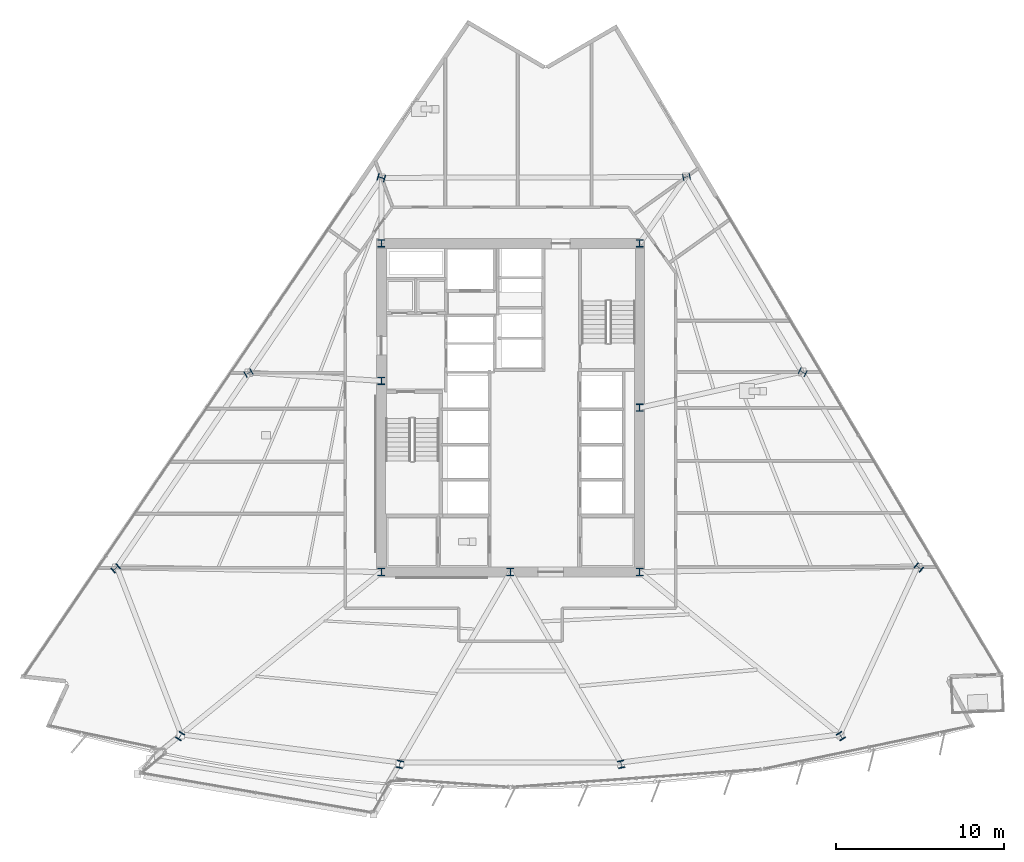
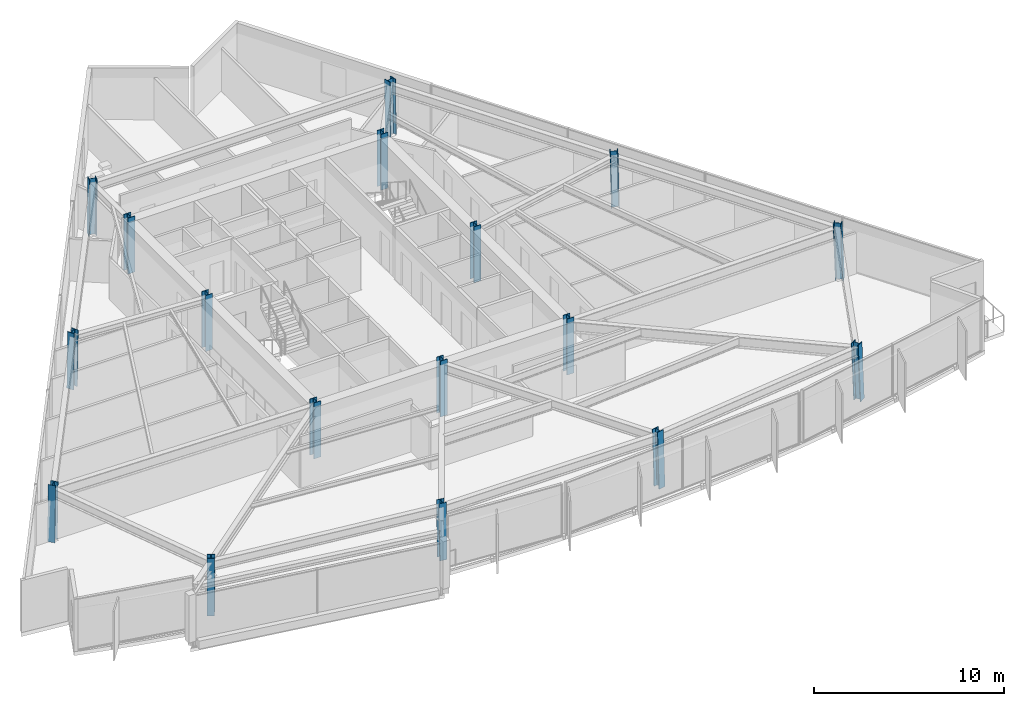
# One storey, part 1 of 17: 17 columns.
"""IFC4 building model written with IfcOpenShell, lengths in metres."""

from ifc_helpers import new_model, si_unit, direction, frame, origin, origin_2d, place, context, subcontext, project, spatial, i_section, extrude, material, material_profile, profile_set, type_object, element, save


model = new_model("IFC4")

# Units and contexts
model_context = context("Model", 3, precision=1e-05, world=origin(), true_north=direction((0.0, 1.0)))
body_context = subcontext(model_context, "Body", "Model", "MODEL_VIEW")
ifc_project = project(units=[si_unit("LENGTHUNIT", "METRE"), si_unit("AREAUNIT", "SQUARE_METRE"), si_unit("VOLUMEUNIT", "CUBIC_METRE"), si_unit("PLANEANGLEUNIT", "RADIAN"), si_unit("MASSUNIT", "GRAM", prefix="KILO")], contexts=[model_context])

# Site, building, storey
site_placement = place(None, origin())
site = spatial("IfcSite", under=ifc_project, at=site_placement, CompositionType="ELEMENT")
building_placement = place(site_placement, origin())
building = spatial("IfcBuilding", under=site, at=building_placement, Name="Savorim Split Tower", CompositionType="ELEMENT")
storey_placement = place(building_placement, frame((0.0, 0.0, 58.800048828125)))
storey = spatial("IfcBuildingStorey", under=building, at=storey_placement, Name="L15", CompositionType="ELEMENT", Elevation=58.800048828125)

# Columns
ifc_material = material(Name="Steel S460", Category="steel")
ifc_material_profile_1 = material_profile(ifc_material, i_section(OverallWidth=0.412109375, OverallDepth=0.43505859375, WebThickness=0.022705078125, FlangeThickness=0.037109375, FilletRadius=0.014892578125, at=origin_2d()), Name="HD 400x463")
ifc_profile_set_1 = profile_set([ifc_material_profile_1], Name="Steel S460")
column_type_1 = type_object("IfcColumnType", Name="COL-HD-463", PredefinedType="COLUMN", material=ifc_profile_set_1)
column_1_placement = place(storey_placement, frame((-19.7158203125, -19.20556640625, 0.00537109375), z_axis=(0.020662834962, 0.033509136961, 0.999224792022), x_axis=(-0.851183725565, 0.524867855115, 0.0)))
element("IfcColumn", 1, at=column_1_placement, inside=storey, type_object=column_type_1, Name="L15 Tapered Perimeter Column PC-S1", PredefinedType="COLUMN", context=body_context, shape_type="SweptSolid", body=[
    extrude(i_section(OverallWidth=0.412109375, OverallDepth=0.43505859375, WebThickness=0.022705078125, FlangeThickness=0.037109375, FilletRadius=0.014892578125, at=origin_2d()), origin(), (0.0, 0.0, 1.0), 3.591796875),
])
for number, where, z_axis, x_axis, name in (
    (2, (-6.60791015625, -20.888427734375, 0.00537109375), (0.00693381708, 0.03528089279, 0.999353381334), (-0.981229659911, 0.192842823335, 0.0), "L15 Tapered Perimeter Column PC-S2"),
    (3, (6.60791015625, -20.888427734375, 0.00537109375), (-0.00693381708, 0.03528089279, 0.999353381334), (-0.981229659911, -0.192842823335, 0.0), "L15 Tapered Perimeter Column PC-S3"),
):
    element("IfcColumn", number, at=place(storey_placement, frame(where, z_axis=z_axis, x_axis=x_axis)), inside=storey, type_object=column_type_1, Name=name, PredefinedType="COLUMN", context=body_context, shape_type="SweptSolid", body=[
        extrude(i_section(OverallWidth=0.412109375, OverallDepth=0.43505859375, WebThickness=0.022705078125, FlangeThickness=0.037109375, FilletRadius=0.014892578125, at=origin_2d()), origin(), (0.0, 0.0, 1.0), 3.591552734375),
    ])
column_2_placement = place(storey_placement, frame((19.7158203125, -19.20556640625, 0.00537109375), z_axis=(-0.020662834962, 0.033509136961, 0.999224792022), x_axis=(-0.851183725565, -0.524867855115, 0.0)))
element("IfcColumn", 4, at=column_2_placement, inside=storey, type_object=column_type_1, Name="L15 Tapered Perimeter Column PC-S4", PredefinedType="COLUMN", context=body_context, shape_type="SweptSolid", body=[
    extrude(i_section(OverallWidth=0.412109375, OverallDepth=0.43505859375, WebThickness=0.022705078125, FlangeThickness=0.037109375, FilletRadius=0.014892578125, at=origin_2d()), origin(), (0.0, 0.0, 1.0), 3.591796875),
])
column_3_placement = place(storey_placement, frame((24.367431640625, -9.144775390625, 0.00537109375), z_axis=(-0.026105663043, 0.021618752208, 0.999425396871), x_axis=(-0.637813971185, -0.770190455771, 0.0)))
element("IfcColumn", 5, at=column_3_placement, inside=storey, type_object=column_type_1, Name="L15 Tapered Perimeter Column PC-E1", PredefinedType="COLUMN", context=body_context, shape_type="SweptSolid", body=[
    extrude(i_section(OverallWidth=0.412109375, OverallDepth=0.43505859375, WebThickness=0.022705078125, FlangeThickness=0.037109375, FilletRadius=0.014892578125, at=origin_2d()), origin(), (0.0, 0.0, 1.0), 3.591064453125),
])
column_4_placement = place(storey_placement, frame((17.436279296875, 2.51171875, 0.00537109375), z_axis=(-0.018906041, 0.009521027842, 0.999775930718), x_axis=(-0.449781931574, -0.893138406984, 0.0)))
element("IfcColumn", 6, at=column_4_placement, inside=storey, type_object=column_type_1, Name="L15 Tapered Perimeter Column PC-E2", PredefinedType="COLUMN", context=body_context, shape_type="SweptSolid", body=[
    extrude(i_section(OverallWidth=0.412109375, OverallDepth=0.43505859375, WebThickness=0.022705078125, FlangeThickness=0.037109375, FilletRadius=0.014892578125, at=origin_2d()), origin(), (0.0, 0.0, 1.0), 3.58984375),
])
for number, where, z_axis, x_axis, name in (
    (7, (10.505126953125, 14.16796875, 0.00537109375), (-0.011767054935, -0.002516653368, 0.999927598816), (0.209143047003, -0.977885057607, 0.0), "L15 Tapered Perimeter Column PC-E3"),
    (8, (-7.707275390625, 14.119140625, 0.00537109375), (0.008842562123, -0.00251672922, 0.999957736691), (0.273743828055, 0.961802639112, 0.0), "L15 Tapered Perimeter Column PC-W1"),
):
    element("IfcColumn", number, at=place(storey_placement, frame(where, z_axis=z_axis, x_axis=x_axis)), inside=storey, type_object=column_type_1, Name=name, PredefinedType="COLUMN", context=body_context, shape_type="SweptSolid", body=[
        extrude(i_section(OverallWidth=0.412109375, OverallDepth=0.43505859375, WebThickness=0.022705078125, FlangeThickness=0.037109375, FilletRadius=0.014892578125, at=origin_2d()), origin(), (0.0, 0.0, 1.0), 3.58935546875),
    ])
column_5_placement = place(storey_placement, frame((-15.636962890625, 2.462890625, 0.00537109375), z_axis=(0.017070406608, 0.009521342331, 0.99980895438), x_axis=(-0.487119351792, 0.873335409284, 0.0)))
element("IfcColumn", 9, at=column_5_placement, inside=storey, type_object=column_type_1, Name="L15 Tapered Perimeter Column PC-W2", PredefinedType="COLUMN", context=body_context, shape_type="SweptSolid", body=[
    extrude(i_section(OverallWidth=0.412109375, OverallDepth=0.43505859375, WebThickness=0.022705078125, FlangeThickness=0.037109375, FilletRadius=0.014892578125, at=origin_2d()), origin(), (0.0, 0.0, 1.0), 3.58984375),
])
column_6_placement = place(storey_placement, frame((-23.56640625, -9.193603515625, 0.00537109375), z_axis=(0.025222449659, 0.021619242565, 0.999448065876), x_axis=(-0.650791373456, 0.759256602365, 0.0)))
element("IfcColumn", 10, at=column_6_placement, inside=storey, type_object=column_type_1, Name="L15 Tapered Perimeter Column PC-W3", PredefinedType="COLUMN", context=body_context, shape_type="SweptSolid", body=[
    extrude(i_section(OverallWidth=0.412109375, OverallDepth=0.43505859375, WebThickness=0.022705078125, FlangeThickness=0.037109375, FilletRadius=0.014892578125, at=origin_2d()), origin(), (0.0, 0.0, 1.0), 3.591064453125),
])
ifc_material_profile_2 = material_profile(ifc_material, i_section(OverallWidth=0.416015625, OverallDepth=0.446044921875, WebThickness=0.02490234375, FlangeThickness=0.0400390625, FilletRadius=0.014892578125, at=origin_2d()), Name="HD 400x509")
ifc_profile_set_2 = profile_set([ifc_material_profile_2], Name="Steel S460")
column_type_2 = type_object("IfcColumnType", Name="COL-HD-509", PredefinedType="COLUMN", material=ifc_profile_set_2)
for number, where, z_axis, x_axis, name in (
    (11, (-7.699951171875, -9.39990234375, 0.0), (0.0, 0.0, 1.0), (1.0, 0.0, 0.0), "L15 Core Structural Column TC-C1"),
    (12, (7.699951171875, -9.39990234375, 0.0), (0.0, 0.0, 1.0), (1.0, 0.0, 0.0), "L15 Core Structural Column TC-C2"),
    (13, (7.699951171875, 10.199951171875, 0.0), (0.0, 0.0, 1.0), (1.0, 0.0, 0.0), "L15 Core Structural Column TC-C3"),
    (14, (-7.699951171875, 10.199951171875, 0.0), (0.0, 0.0, 1.0), (1.0, 0.0, 0.0), "L15 Core Structural Column TC-C4"),
    (15, (0.0, -9.39990234375, 0.0), (0.0, 0.0, 1.0), (1.0, 0.0, 0.0), "L15 Core Structural Column TC-C5"),
    (16, (7.699951171875, 0.39990234375, 0.0), (0.0, 0.0, 1.0), (1.0, 0.0, 0.0), "L15 Core Structural Column TC-C6"),
    (17, (-7.699951171875, 2.0, 0.0), (0.0, 0.0, 1.0), (1.0, 0.0, 0.0), "L15 Core Structural Column TC-C7"),
):
    element("IfcColumn", number, at=place(storey_placement, frame(where, z_axis=z_axis, x_axis=x_axis)), inside=storey, type_object=column_type_2, Name=name, PredefinedType="COLUMN", context=body_context, shape_type="SweptSolid", body=[
        extrude(i_section(OverallWidth=0.416015625, OverallDepth=0.446044921875, WebThickness=0.02490234375, FlangeThickness=0.0400390625, FilletRadius=0.014892578125, at=origin_2d()), origin(), (0.0, 0.0, 1.0), 3.599853515625),
    ])

save(model, "model.ifc")
